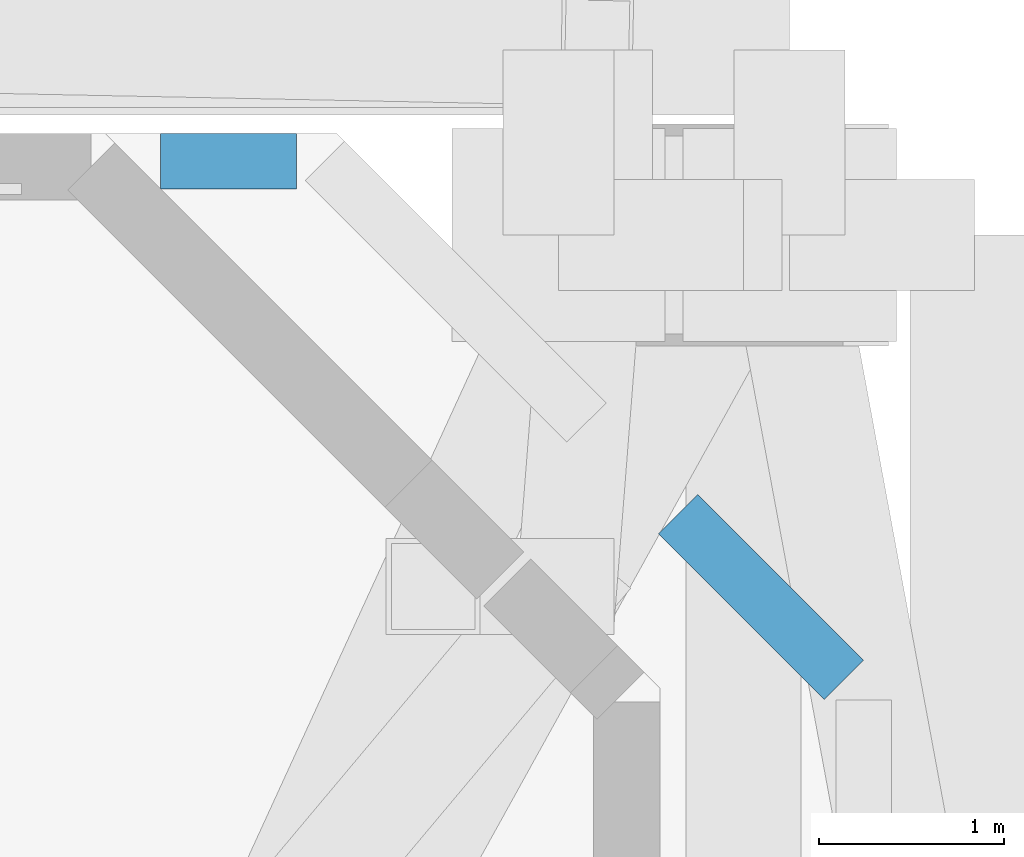
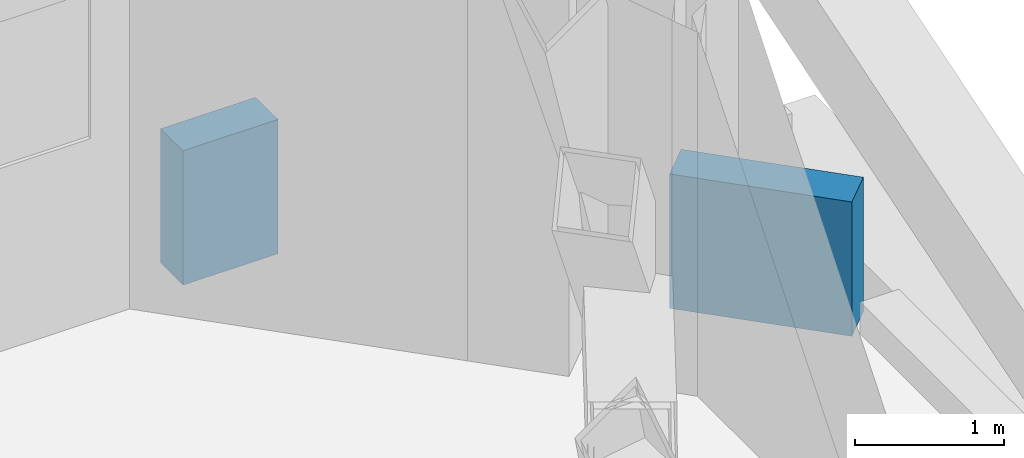
# One storey, part 16 of 22: 2 walls.
"""IFC4 building model written with IfcOpenShell, lengths in metres."""

import ifcopenshell
import ifcopenshell.guid

model = None  # the IFC model being written
_history = None  # IfcOwnerHistory: only IFC2X3 demands one
_inside = {}  # id of a spatial element -> (the spatial element, [elements in it])
_under = {}  # id of a project, library or spatial element -> (it, [spatial elements below it])
_declared = {}  # id of a project -> (the project, [libraries it declares])
_typed = {}  # id of a type object -> (the type object, [elements of that type])
_made_of = {}  # id of a material, layer set ... -> (it, [elements and type objects made of it])


def new_model(schema):
    """Start an empty IFC model of exactly this schema.

    Asked for "IFC4X3", IfcOpenShell would pick the latest addendum, in which some entities
    have other attributes; the version numbers below select the first issue.
    IFC2X3 requires an IfcOwnerHistory on every rooted entity: one is made here for all.
    """
    global model, _history
    if schema == "IFC4X3":
        model = ifcopenshell.file(schema_version=(4, 3, 0, 0))
    else:
        model = ifcopenshell.file(schema=schema)
    _inside.clear()
    _under.clear()
    _declared.clear()
    _typed.clear()
    _made_of.clear()
    _history = None
    if model.schema == "IFC2X3":
        org = make("IfcOrganization", Name="unknown")
        user = make(
            "IfcPersonAndOrganization",
            ThePerson=make("IfcPerson", FamilyName="unknown"),
            TheOrganization=org,
        )
        app = make(
            "IfcApplication",
            ApplicationDeveloper=org,
            Version="unknown",
            ApplicationFullName="unknown",
            ApplicationIdentifier="unknown",
        )
        _history = make(
            "IfcOwnerHistory",
            OwningUser=user,
            OwningApplication=app,
            ChangeAction="ADDED",
            CreationDate=0,
        )
    return model


def make(cls, **values):
    """One entity of the class cls with the attributes given. An attribute that is None is left unset."""
    return model.create_entity(
        cls, **{name: value for name, value in values.items() if value is not None}
    )


def rooted(cls, **values):
    """An entity with a GlobalId (a new one), such as an element, a storey or a relation."""
    return make(cls, GlobalId=ifcopenshell.guid.new(), OwnerHistory=_history, **values)


def si_unit(unit_type, name, prefix=None):
    """IfcSIUnit, for example si_unit("LENGTHUNIT", "METRE", prefix="MILLI")."""
    return make("IfcSIUnit", UnitType=unit_type, Prefix=prefix, Name=name)


def assignment(units):
    """IfcUnitAssignment: the units of a project."""
    return None if units is None else make("IfcUnitAssignment", Units=units)


def point(xyz):
    """IfcCartesianPoint."""
    return None if xyz is None else make("IfcCartesianPoint", Coordinates=xyz)


def direction(xyz):
    """IfcDirection."""
    return None if xyz is None else make("IfcDirection", DirectionRatios=xyz)


def frame(location, z_axis=None, x_axis=None):
    """IfcAxis2Placement3D, a coordinate frame: its origin and axes. An axis left out is left unset."""
    return make(
        "IfcAxis2Placement3D",
        Location=point(location),
        Axis=direction(z_axis),
        RefDirection=direction(x_axis),
    )


def frame_2d(location, x_axis=None):
    """IfcAxis2Placement2D, a coordinate frame in the plane: its origin and x axis."""
    return make(
        "IfcAxis2Placement2D", Location=point(location), RefDirection=direction(x_axis)
    )


def origin():
    """The frame at (0, 0, 0) with its axes left unset."""
    return frame((0.0, 0.0, 0.0))


def place(relative_to, where):
    """IfcLocalPlacement: puts the frame where relative to a parent placement (None: the world)."""
    return make(
        "IfcLocalPlacement", PlacementRelTo=relative_to, RelativePlacement=where
    )


def context(
    kind, dimensions, precision=None, world=None, true_north=None, identifier=None
):
    """IfcGeometricRepresentationContext, for example the 3D "Model" context."""
    return make(
        "IfcGeometricRepresentationContext",
        ContextIdentifier=identifier,
        ContextType=kind,
        CoordinateSpaceDimension=dimensions,
        Precision=precision,
        WorldCoordinateSystem=world,
        TrueNorth=true_north,
    )


def subcontext(parent, identifier, kind, view, scale=None):
    """IfcGeometricRepresentationSubContext, for example "Body" below "Model"."""
    return make(
        "IfcGeometricRepresentationSubContext",
        ContextIdentifier=identifier,
        ContextType=kind,
        ParentContext=parent,
        TargetScale=scale,
        TargetView=view,
    )


def project(units=None, contexts=None):
    """IfcProject with its units and contexts."""
    return rooted(
        "IfcProject",
        Name="project",
        RepresentationContexts=contexts,
        UnitsInContext=assignment(units),
    )


def spatial(cls, under=None, at=None, **own):
    """A site, building, storey or space (cls), placed at a placement, below another one or the project."""
    s = rooted(cls, ObjectPlacement=at, **own)
    if under is not None:
        _under.setdefault(under.id(), (under, []))[1].append(s)
    return s


def profile(cls, at=None, kind="AREA", **sizes):
    """A parametric profile (cls). Its sizes go by their IFC names, for example OverallWidth=200.0."""
    return make(cls, ProfileType=kind, Position=at, **sizes)


def rectangle(**sizes):
    """IfcRectangleProfileDef."""
    return profile("IfcRectangleProfileDef", **sizes)


def extrude(swept, where, along, depth):
    """IfcExtrudedAreaSolid: the profile swept, set in the frame where, extruded along a direction by depth."""
    return make(
        "IfcExtrudedAreaSolid",
        SweptArea=swept,
        Position=where,
        ExtrudedDirection=direction(along),
        Depth=depth,
    )


def shape(context_of_items, identifier, shape_type, items):
    """IfcShapeRepresentation: the items that make up one representation, for example the "Body"."""
    return make(
        "IfcShapeRepresentation",
        ContextOfItems=context_of_items,
        RepresentationIdentifier=identifier,
        RepresentationType=shape_type,
        Items=items,
    )


def material(Name=None, Category=None):
    """IfcMaterial."""
    return make("IfcMaterial", Name=Name, Category=Category)


def layer(
    of_material, thickness, ventilated=None, Name=None, Category=None, Priority=None
):
    """IfcMaterialLayer: one layer of a wall or slab, of a material (None: an air gap)."""
    return make(
        "IfcMaterialLayer",
        Material=of_material,
        LayerThickness=thickness,
        IsVentilated=ventilated,
        Name=Name,
        Category=Category,
        Priority=Priority,
    )


def layer_set(layers, Name=None):
    """IfcMaterialLayerSet."""
    return make("IfcMaterialLayerSet", MaterialLayers=layers, LayerSetName=Name)


def made_of(thing, what):
    """Note that an element or type object is made of a material, layer set ...; save() writes the relation."""
    if what is not None:
        _made_of.setdefault(what.id(), (what, []))[1].append(thing)
    return thing


def type_object(cls, material=None, **own):
    """A type object (cls), such as IfcWallType, which elements share."""
    return made_of(rooted(cls, **own), material)


def element(
    cls,
    number,
    at=None,
    inside=None,
    cuts=None,
    type_object=None,
    material=None,
    context=None,
    identifier="Body",
    shape_type=None,
    held_by="IfcProductDefinitionShape",
    body=None,
    shapes=None,
    **own,
):
    """One element of the class cls, such as IfcWall. Its Tag is "e" and its number.

    at: its placement. inside: the storey or other place that contains it. cuts: it is an
    opening in that element (IfcRelVoidsElement). A single representation is given by context,
    identifier, shape_type and body (its items); several are given by shapes. held_by: the class
    of the entity that holds the representations. save() writes the other relations.
    """
    e = rooted(cls, Tag="e%d" % number, ObjectPlacement=at, **own)
    if body is not None:
        shapes = [shape(context, identifier, shape_type, body)]
    if shapes is not None:
        e.Representation = make(held_by, Representations=shapes)
    if inside is not None:
        _inside.setdefault(inside.id(), (inside, []))[1].append(e)
    if cuts is not None:
        rooted(
            "IfcRelVoidsElement", RelatingBuildingElement=cuts, RelatedOpeningElement=e
        )
    if type_object is not None:
        _typed.setdefault(type_object.id(), (type_object, []))[1].append(e)
    return made_of(e, material)


def aggregate(whole, parts):
    """IfcRelAggregates: a whole, such as a stair, and the parts it consists of."""
    return rooted("IfcRelAggregates", RelatingObject=whole, RelatedObjects=parts)


def save(model, path):
    """Write the relations noted so far, then the file.

    IfcRelAggregates (storeys below a building ...), IfcRelContainedInSpatialStructure (elements
    in a storey), IfcRelDefinesByType, IfcRelAssociatesMaterial and IfcRelDeclares: one each for
    every whole, place, type object, material and project.
    """
    for whole, parts in _under.values():
        aggregate(whole, parts)
    for where, things in _inside.values():
        rooted(
            "IfcRelContainedInSpatialStructure",
            RelatedElements=things,
            RelatingStructure=where,
        )
    for kind, things in _typed.values():
        rooted("IfcRelDefinesByType", RelatedObjects=things, RelatingType=kind)
    for what, things in _made_of.values():
        rooted("IfcRelAssociatesMaterial", RelatedObjects=things, RelatingMaterial=what)
    for by, libraries in _declared.values():
        rooted("IfcRelDeclares", RelatingContext=by, RelatedDefinitions=libraries)
    model.write(path)


model = new_model("IFC4")

# Units and contexts
model_context = context("Model", 3, precision=1e-05, world=origin(), true_north=direction((0.0, 1.0)))
body_context = subcontext(model_context, "Body", "Model", "MODEL_VIEW")
ifc_project = project(units=[si_unit("LENGTHUNIT", "METRE"), si_unit("AREAUNIT", "SQUARE_METRE"), si_unit("VOLUMEUNIT", "CUBIC_METRE"), si_unit("PLANEANGLEUNIT", "RADIAN"), si_unit("MASSUNIT", "GRAM", prefix="KILO")], contexts=[model_context])

# Site, building, storey
site_placement = place(None, origin())
site = spatial("IfcSite", under=ifc_project, at=site_placement, CompositionType="ELEMENT")
building_placement = place(site_placement, origin())
building = spatial("IfcBuilding", under=site, at=building_placement, Name="Tuart Gate Housing", CompositionType="ELEMENT")
storey_placement = place(building_placement, frame((0.0, 0.0, 115.0)))
storey = spatial("IfcBuildingStorey", under=building, at=storey_placement, Name="L32", CompositionType="ELEMENT", Elevation=115.0)

# Walls
ifc_material = material(Name="Brick", Category="masonry")
ifc_layer = layer(ifc_material, 0.300048828125)
ifc_layer_set = layer_set([ifc_layer], Name="Brick parapet wall 300")
wall_type = type_object("IfcWallType", Name="Brick parapet wall 300", PredefinedType="PARAPET", material=ifc_layer_set)
wall_1_placement = place(storey_placement, frame((173.742431640625, 83.04541015625, 0.0), z_axis=(0.0, 0.0, 1.0), x_axis=(-0.707010372874, 0.707203176357, 0.0)))
element("IfcWall", 1, at=wall_1_placement, inside=storey, type_object=wall_type, Name="Roof parapet B 4", PredefinedType="PARAPET", context=body_context, shape_type="SweptSolid", body=[
    extrude(rectangle(XDim=1.266357421875, YDim=0.300048828125, at=frame_2d((0.63330078125, 0.0))), origin(), (0.0, 0.0, 1.0), 1.10009765625),
])
wall_2_placement = place(storey_placement, frame((170.785888671875, 85.85009765625, 0.0), z_axis=(0.0, 0.0, 1.0), x_axis=(-1.0, 0.0, 0.0)))
element("IfcWall", 2, at=wall_2_placement, inside=storey, type_object=wall_type, Name="Roof parapet B 5", PredefinedType="PARAPET", context=body_context, shape_type="SweptSolid", body=[
    extrude(rectangle(XDim=0.73583984375, YDim=0.300048828125, at=frame_2d((0.367919921875, 0.0))), origin(), (0.0, 0.0, 1.0), 1.10009765625),
])

save(model, "model.ifc")
